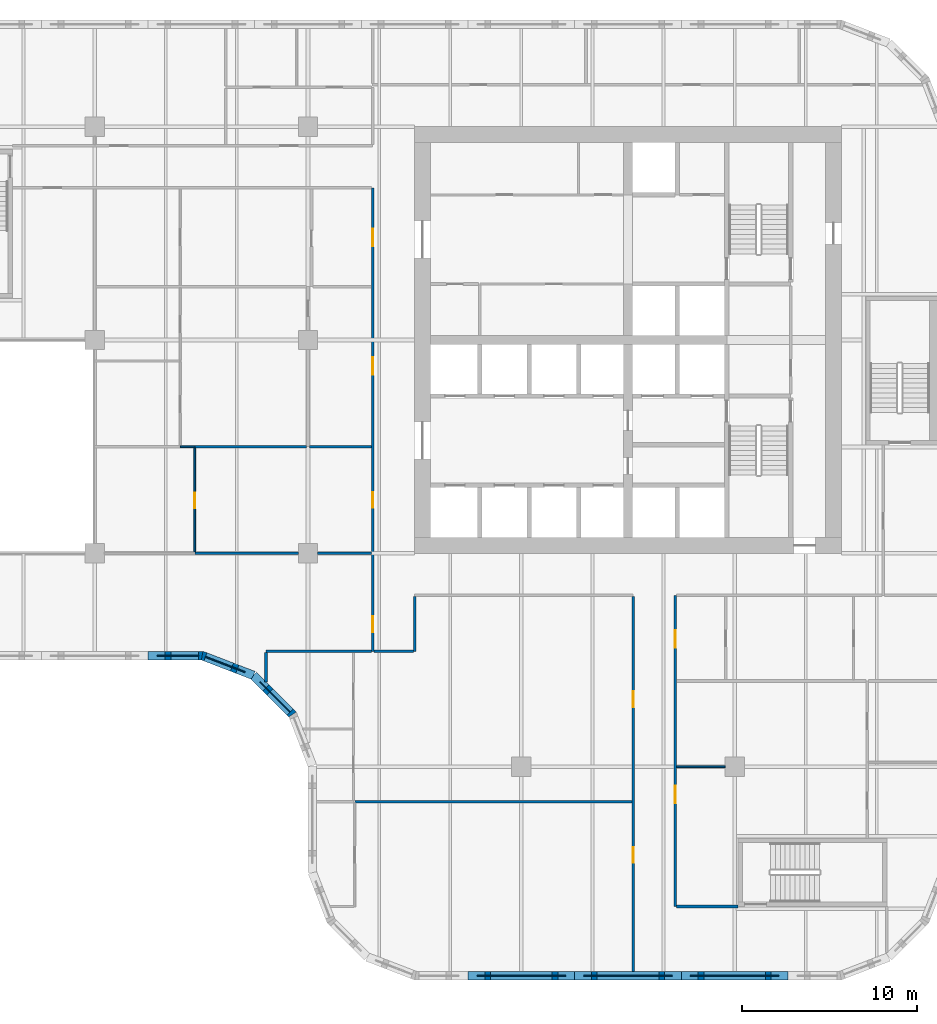
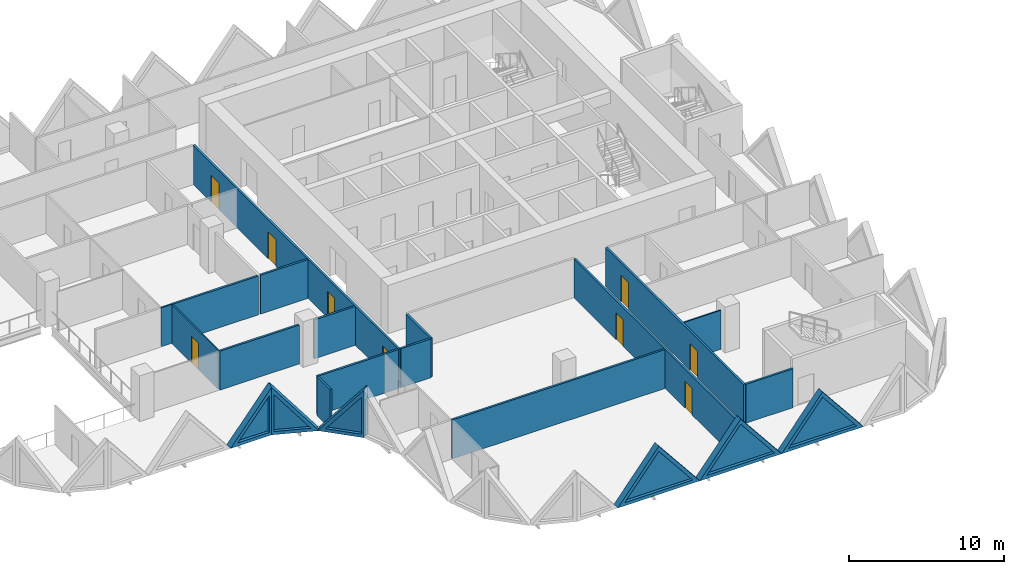
# One storey, part 5 of 19: 22 walls, 9 doors, 6 plates, 15 openings.
"""IFC4 building model written with IfcOpenShell, lengths in metres."""

from ifc_helpers import new_model, si_unit, direction, frame, frame_2d, origin, place, context, subcontext, project, spatial, polyline, rectangle, outline, extrude, faceted_brep, source, transform, mapped, material, layer, layer_set, type_object, element, fill, save


model = new_model("IFC4")

# Units and contexts
model_context = context("Model", 3, precision=1e-05, world=origin(), true_north=direction((0.0, 1.0)))
body_context = subcontext(model_context, "Body", "Model", "MODEL_VIEW")
ifc_project = project(units=[si_unit("LENGTHUNIT", "METRE"), si_unit("AREAUNIT", "SQUARE_METRE"), si_unit("VOLUMEUNIT", "CUBIC_METRE"), si_unit("PLANEANGLEUNIT", "RADIAN"), si_unit("MASSUNIT", "GRAM", prefix="KILO")], contexts=[model_context])

# Site, building, storey
site_placement = place(None, origin())
site = spatial("IfcSite", under=ifc_project, at=site_placement, CompositionType="ELEMENT")
building_placement = place(site_placement, origin())
building = spatial("IfcBuilding", under=site, at=building_placement, Name="Tessera Gate Towers", CompositionType="ELEMENT")
storey_placement = place(building_placement, frame((0.0, 0.0, 25.800048828125)))
storey = spatial("IfcBuildingStorey", under=building, at=storey_placement, Name="L05", CompositionType="ELEMENT", Elevation=25.800048828125)

# Wall, openings, doors
ifc_material_1 = material(Name="Gypsum board on steel studs, mineral wool", Category="steel")
ifc_layer_1 = layer(ifc_material_1, 0.14990234375)
ifc_layer_set_1 = layer_set([ifc_layer_1], Name="CORRIDOR WALL 150")
wall_type_1 = type_object("IfcWallType", Name="CORRIDOR WALL 150", PredefinedType="PARTITIONING", material=ifc_layer_set_1)
wall_1_placement = place(storey_placement, frame((43.0, 0.5, 0.0), z_axis=(0.0, 0.0, 1.0), x_axis=(0.0, 1.0, 0.0)))
wall_1 = element("IfcWall", 1, at=wall_1_placement, inside=storey, type_object=wall_type_1, Name="T1-L05-PW-001", PredefinedType="PARTITIONING", context=body_context, shape_type="SweptSolid", body=[
    extrude(rectangle(XDim=21.424072265625, YDim=0.14990234375, at=frame_2d((10.7119140625, 0.0))), origin(), (0.0, 0.0, 1.0), 3.06689453125),
])
shared_shape_1 = source(origin(), body_context, "Body", "SweptSolid", [
    extrude(rectangle(XDim=0.89990234375, YDim=2.10009765625, at=frame_2d((0.449951171875, 1.050048828125))), frame((0.0, 0.0849609375, 0.0), z_axis=(0.0, -1.0, 0.0), x_axis=(1.0, 0.0, 0.0)), (0.0, 0.0, 1.0), 0.169921875),
])
opening_1_placement = place(wall_1_placement, frame((6.199951171875, 0.0, 0.0)))
opening_1 = element("IfcOpeningElement", 2, at=opening_1_placement, cuts=wall_1, Name="Opening D890FD60-A02-02", PredefinedType="OPENING", context=body_context, shape_type="MappedRepresentation", body=[
    mapped(shared_shape_1, transform((0.0, 0.0, 0.0), scale=1.0)),
])
opening_2_placement = place(wall_1_placement, frame((15.10009765625, 0.0, 0.0)))
opening_2 = element("IfcOpeningElement", 3, at=opening_2_placement, cuts=wall_1, Name="Opening D890FD60-A02-06", PredefinedType="OPENING", context=body_context, shape_type="MappedRepresentation", body=[
    mapped(shared_shape_1, transform((0.0, 0.0, 0.0), scale=1.0)),
])
ifc_material_2 = material(Name="Timber door leaf in steel frame", Category="steel")
door_type_1 = type_object("IfcDoorType", Name="CORRIDOR DOOR 900 FD60", OperationType="NOTDEFINED", PredefinedType="DOOR", material=ifc_material_2)
shared_shape_2 = source(origin(), body_context, "Body", "SweptSolid", [
    extrude(rectangle(XDim=0.89990234375, YDim=2.10009765625, at=frame_2d((0.449951171875, 1.050048828125))), frame((0.0, 0.02490234375, 0.0), z_axis=(0.0, -1.0, 0.0), x_axis=(1.0, 0.0, 0.0)), (0.0, 0.0, 1.0), 0.050048828125),
])
door_1_placement = place(opening_1_placement, origin())
door_1 = element("IfcDoor", 4, at=door_1_placement, inside=storey, type_object=door_type_1, Name="T1-L05-PD-019", OperationType="SINGLE_SWING_LEFT", OverallHeight=2.10009765625, OverallWidth=0.89990234375, PredefinedType="DOOR", context=body_context, shape_type="MappedRepresentation", body=[
    mapped(shared_shape_2, transform((0.0, 0.0, 0.0), scale=1.0)),
])
fill(opening_1, door_1)
door_2_placement = place(opening_2_placement, origin())
door_2 = element("IfcDoor", 5, at=door_2_placement, inside=storey, type_object=door_type_1, Name="T1-L05-PD-027", OperationType="SINGLE_SWING_LEFT", OverallHeight=2.10009765625, OverallWidth=0.89990234375, PredefinedType="DOOR", context=body_context, shape_type="MappedRepresentation", body=[
    mapped(shared_shape_2, transform((0.0, 0.0, 0.0), scale=1.0)),
])
fill(opening_2, door_2)

wall_2_placement = place(storey_placement, frame((45.39990234375, 22.0, 0.0), z_axis=(0.0, 0.0, 1.0), x_axis=(0.0, -1.0, 0.0)))
wall_2 = element("IfcWall", 6, at=wall_2_placement, inside=storey, type_object=wall_type_1, Name="T1-L05-PW-005", PredefinedType="PARTITIONING", context=body_context, shape_type="SweptSolid", body=[
    extrude(rectangle(XDim=17.800048828125, YDim=0.14990234375, at=frame_2d((8.89990234375, 0.0))), origin(), (0.0, 0.0, 1.0), 3.06689453125),
])
shared_shape_3 = source(origin(), body_context, "Body", "SweptSolid", [
    extrude(rectangle(XDim=1.0, YDim=2.10009765625, at=frame_2d((0.5, 1.050048828125))), frame((0.0, 0.0849609375, 0.0), z_axis=(0.0, -1.0, 0.0), x_axis=(1.0, 0.0, 0.0)), (0.0, 0.0, 1.0), 0.169921875),
])
opening_3_placement = place(wall_2_placement, frame((1.9990234375, 0.0, 0.0)))
opening_3 = element("IfcOpeningElement", 7, at=opening_3_placement, cuts=wall_2, Name="Opening D2100FD60-A02-02", PredefinedType="OPENING", context=body_context, shape_type="MappedRepresentation", body=[
    mapped(shared_shape_3, transform((0.0, 0.0, 0.0), scale=1.0)),
])
opening_4_placement = place(wall_2_placement, frame((10.89990234375, 0.0, 0.0)))
opening_4 = element("IfcOpeningElement", 8, at=opening_4_placement, cuts=wall_2, Name="Opening D2100FD60-A02-07", PredefinedType="OPENING", context=body_context, shape_type="MappedRepresentation", body=[
    mapped(shared_shape_3, transform((0.0, 0.0, 0.0), scale=1.0)),
])
ifc_material_3 = material(Name="Timber door leaf in steel frame", Category="steel")
door_type_2 = type_object("IfcDoorType", Name="TENANCY ENTRANCE DOOR 1000 FD60", OperationType="NOTDEFINED", PredefinedType="DOOR", material=ifc_material_3)
shared_shape_4 = source(origin(), body_context, "Body", "SweptSolid", [
    extrude(rectangle(XDim=1.0, YDim=2.10009765625, at=frame_2d((0.5, 1.050048828125))), frame((0.0, 0.02490234375, 0.0), z_axis=(0.0, -1.0, 0.0), x_axis=(1.0, 0.0, 0.0)), (0.0, 0.0, 1.0), 0.050048828125),
])
door_3_placement = place(opening_3_placement, origin())
door_3 = element("IfcDoor", 9, at=door_3_placement, inside=storey, type_object=door_type_2, Name="T1-L05-PD-013", OperationType="SINGLE_SWING_RIGHT", OverallHeight=2.10009765625, OverallWidth=1.0, PredefinedType="DOOR", context=body_context, shape_type="MappedRepresentation", body=[
    mapped(shared_shape_4, transform((0.0, 0.0, 0.0), scale=1.0)),
])
fill(opening_3, door_3)
door_4_placement = place(opening_4_placement, origin())
door_4 = element("IfcDoor", 10, at=door_4_placement, inside=storey, type_object=door_type_2, Name="T1-L05-PD-031", OperationType="SINGLE_SWING_RIGHT", OverallHeight=2.10009765625, OverallWidth=1.0, PredefinedType="DOOR", context=body_context, shape_type="MappedRepresentation", body=[
    mapped(shared_shape_4, transform((0.0, 0.0, 0.0), scale=1.0)),
])
fill(opening_4, door_4)

# Wall
wall_3_placement = place(storey_placement, frame((45.47607421875, 4.199951171875, 0.0), z_axis=(0.0, 0.0, 1.0), x_axis=(1.0, 0.0, 0.0)))
element("IfcWall", 11, at=wall_3_placement, inside=storey, type_object=wall_type_1, Name="T1-L05-PW-006", PredefinedType="PARTITIONING", context=body_context, shape_type="SweptSolid", body=[
    extrude(rectangle(XDim=3.52392578125, YDim=0.14990234375, at=frame_2d((1.761962890625, 0.0))), origin(), (0.0, 0.0, 1.0), 3.06689453125),
])

# Wall, openings, doors
wall_4_placement = place(storey_placement, frame((28.10009765625, 18.800048828125, 0.0), z_axis=(0.0, 0.0, 1.0), x_axis=(0.0, 1.0, 0.0)))
wall_4 = element("IfcWall", 12, at=wall_4_placement, inside=storey, type_object=wall_type_1, Name="T1-L05-PW-020", PredefinedType="PARTITIONING", context=body_context, shape_type="SweptSolid", body=[
    extrude(rectangle(XDim=26.5, YDim=0.14990234375, at=frame_2d((13.25, 0.0))), origin(), (0.0, 0.0, 1.0), 3.06689453125),
])
opening_5_placement = place(wall_4_placement, frame((1.10009765625, 0.0, 0.0)))
opening_5 = element("IfcOpeningElement", 13, at=opening_5_placement, cuts=wall_4, Name="Opening D890FD60-A02-01", PredefinedType="OPENING", context=body_context, shape_type="MappedRepresentation", body=[
    mapped(shared_shape_1, transform((0.0, 0.0, 0.0), scale=1.0)),
])
opening_6_placement = place(wall_4_placement, frame((23.15087890625, 0.0, 0.0)))
opening_6 = element("IfcOpeningElement", 14, at=opening_6_placement, cuts=wall_4, Name="Opening D2100FD60-A02-03", PredefinedType="OPENING", context=body_context, shape_type="MappedRepresentation", body=[
    mapped(shared_shape_3, transform((0.0, 0.0, 0.0), scale=1.0)),
])
opening_7_placement = place(wall_4_placement, frame((8.199951171875, 0.0, 0.0)))
opening_7 = element("IfcOpeningElement", 15, at=opening_7_placement, cuts=wall_4, Name="Opening D890FD60-A02-03", PredefinedType="OPENING", context=body_context, shape_type="MappedRepresentation", body=[
    mapped(shared_shape_1, transform((0.0, 0.0, 0.0), scale=1.0)),
])
opening_8_placement = place(wall_4_placement, frame((15.800048828125, 0.0, 0.0)))
opening_8 = element("IfcOpeningElement", 16, at=opening_8_placement, cuts=wall_4, Name="Opening D2100FD60-A02-05", PredefinedType="OPENING", context=body_context, shape_type="MappedRepresentation", body=[
    mapped(shared_shape_3, transform((0.0, 0.0, 0.0), scale=1.0)),
])
door_5_placement = place(opening_5_placement, origin())
door_5 = element("IfcDoor", 17, at=door_5_placement, inside=storey, type_object=door_type_1, Name="T1-L05-PD-001", OperationType="SINGLE_SWING_LEFT", OverallHeight=2.10009765625, OverallWidth=0.89990234375, PredefinedType="DOOR", context=body_context, shape_type="MappedRepresentation", body=[
    mapped(shared_shape_2, transform((0.0, 0.0, 0.0), scale=1.0)),
])
fill(opening_5, door_5)
door_6_placement = place(opening_7_placement, origin())
door_6 = element("IfcDoor", 18, at=door_6_placement, inside=storey, type_object=door_type_1, Name="T1-L05-PD-020", OperationType="SINGLE_SWING_LEFT", OverallHeight=2.10009765625, OverallWidth=0.89990234375, PredefinedType="DOOR", context=body_context, shape_type="MappedRepresentation", body=[
    mapped(shared_shape_2, transform((0.0, 0.0, 0.0), scale=1.0)),
])
fill(opening_7, door_6)
door_7_placement = place(opening_6_placement, origin())
door_7 = element("IfcDoor", 19, at=door_7_placement, inside=storey, type_object=door_type_2, Name="T1-L05-PD-017", OperationType="SINGLE_SWING_LEFT", OverallHeight=2.10009765625, OverallWidth=1.0, PredefinedType="DOOR", context=body_context, shape_type="MappedRepresentation", body=[
    mapped(shared_shape_4, transform((0.0, 0.0, 0.0), scale=1.0)),
])
fill(opening_6, door_7)
door_8_placement = place(opening_8_placement, origin())
door_8 = element("IfcDoor", 20, at=door_8_placement, inside=storey, type_object=door_type_2, Name="T1-L05-PD-026", OperationType="SINGLE_SWING_LEFT", OverallHeight=2.10009765625, OverallWidth=1.0, PredefinedType="DOOR", context=body_context, shape_type="MappedRepresentation", body=[
    mapped(shared_shape_4, transform((0.0, 0.0, 0.0), scale=1.0)),
])
fill(opening_8, door_8)

# Walls
wall_5_placement = place(storey_placement, frame((28.176025390625, 18.800048828125, 0.0), z_axis=(0.0, 0.0, 1.0), x_axis=(1.0, 0.0, 0.0)))
element("IfcWall", 21, at=wall_5_placement, inside=storey, type_object=wall_type_1, Name="T1-L05-PW-021", PredefinedType="PARTITIONING", context=body_context, shape_type="SweptSolid", body=[
    extrude(rectangle(XDim=2.248046875, YDim=0.14990234375, at=frame_2d((1.1240234375, 0.0))), origin(), (0.0, 0.0, 1.0), 3.06689453125),
])
wall_6_placement = place(storey_placement, frame((30.5, 18.800048828125, 0.0), z_axis=(0.0, 0.0, 1.0), x_axis=(0.0, 1.0, 0.0)))
element("IfcWall", 22, at=wall_6_placement, inside=storey, type_object=wall_type_1, Name="T1-L05-PW-022", PredefinedType="PARTITIONING", context=body_context, shape_type="SweptSolid", body=[
    extrude(rectangle(XDim=3.1240234375, YDim=0.14990234375, at=frame_2d((1.56201171875, 0.0))), origin(), (0.0, 0.0, 1.0), 3.06689453125),
])

# Wall, opening, door
ifc_material_4 = material(Name="Glass", Category="glass")
ifc_layer_2 = layer(ifc_material_4, 0.10009765625)
ifc_layer_set_2 = layer_set([ifc_layer_2], Name="GLAZED PARTITION 100")
wall_type_2 = type_object("IfcWallType", Name="GLAZED PARTITION 100", PredefinedType="PARTITIONING", material=ifc_layer_set_2)
wall_7_placement = place(storey_placement, frame((17.925048828125, 24.47607421875, 0.0), z_axis=(0.0, 0.0, 1.0), x_axis=(0.0, 1.0, 0.0)))
wall_7 = element("IfcWall", 23, at=wall_7_placement, inside=storey, type_object=wall_type_2, Name="T1-L05-PW-031", PredefinedType="PARTITIONING", context=body_context, shape_type="SweptSolid", body=[
    extrude(rectangle(XDim=5.947998046875, YDim=0.10009765625, at=frame_2d((2.97412109375, 0.0))), origin(), (0.0, 0.0, 1.0), 3.06689453125),
])
shared_shape_5 = source(origin(), body_context, "Body", "SweptSolid", [
    extrude(rectangle(XDim=0.89990234375, YDim=2.10009765625, at=frame_2d((0.449951171875, 1.050048828125))), frame((0.0, 0.06005859375, 0.0), z_axis=(0.0, -1.0, 0.0), x_axis=(1.0, 0.0, 0.0)), (0.0, 0.0, 1.0), 0.1201171875),
])
opening_9_placement = place(wall_7_placement, frame((2.5, 0.0, 0.0)))
opening_9 = element("IfcOpeningElement", 24, at=opening_9_placement, cuts=wall_7, Name="Opening D690-A02-02", PredefinedType="OPENING", context=body_context, shape_type="MappedRepresentation", body=[
    mapped(shared_shape_5, transform((0.0, 0.0, 0.0), scale=1.0)),
])
ifc_material_5 = material(Name="Glass in aluminium frame", Category="aluminium")
door_type_3 = type_object("IfcDoorType", Name="GLAZED DOOR 900 NOT RATED", OperationType="NOTDEFINED", PredefinedType="DOOR", material=ifc_material_5)
door_9_placement = place(opening_9_placement, origin())
door_9 = element("IfcDoor", 25, at=door_9_placement, inside=storey, type_object=door_type_3, Name="T1-L05-PD-018", OperationType="SINGLE_SWING_LEFT", OverallHeight=2.10009765625, OverallWidth=0.89990234375, PredefinedType="DOOR", context=body_context, shape_type="MappedRepresentation", body=[
    mapped(shared_shape_2, transform((0.0, 0.0, 0.0), scale=1.0)),
])
fill(opening_9, door_9)

# Walls
wall_8_placement = place(storey_placement, frame((17.10107421875, 30.5, 0.0), z_axis=(0.0, 0.0, 1.0), x_axis=(1.0, 0.0, 0.0)))
element("IfcWall", 26, at=wall_8_placement, inside=storey, type_object=wall_type_2, Name="T1-L05-PW-033", PredefinedType="PARTITIONING", context=body_context, shape_type="SweptSolid", body=[
    extrude(rectangle(XDim=0.822998046875, YDim=0.10009765625, at=frame_2d((0.41162109375, 0.0))), origin(), (0.0, 0.0, 1.0), 3.06689453125),
])
ifc_material_6 = material(Name="Gypsum board on steel studs", Category="steel")
ifc_layer_3 = layer(ifc_material_6, 0.10009765625)
ifc_layer_set_3 = layer_set([ifc_layer_3], Name="PARTITION 100")
wall_type_3 = type_object("IfcWallType", Name="PARTITION 100", PredefinedType="PARTITIONING", material=ifc_layer_set_3)
wall_9_placement = place(storey_placement, frame((48.25, 12.199951171875, 0.0), z_axis=(0.0, 0.0, 1.0), x_axis=(-1.0, 0.0, 0.0)))
element("IfcWall", 27, at=wall_9_placement, inside=storey, type_object=wall_type_3, Name="T1-L05-PW-011", PredefinedType="PARTITIONING", context=body_context, shape_type="SweptSolid", body=[
    extrude(rectangle(XDim=2.77490234375, YDim=0.10009765625, at=frame_2d((1.387451171875, 0.0))), origin(), (0.0, 0.0, 1.0), 3.06689453125),
])
ifc_material_7 = material(Name="Gypsum board on steel studs, mineral wool", Category="steel")
ifc_layer_4 = layer(ifc_material_7, 0.14990234375)
ifc_layer_set_4 = layer_set([ifc_layer_4], Name="TENANCY WALL 150")
wall_type_4 = type_object("IfcWallType", Name="TENANCY WALL 150", PredefinedType="PARTITIONING", material=ifc_layer_set_4)
wall_10_placement = place(storey_placement, frame((27.074951171875, 10.199951171875, 0.0), z_axis=(0.0, 0.0, 1.0), x_axis=(1.0, 0.0, 0.0)))
element("IfcWall", 28, at=wall_10_placement, inside=storey, type_object=wall_type_4, Name="T1-L05-PW-009", PredefinedType="PARTITIONING", context=body_context, shape_type="SweptSolid", body=[
    extrude(rectangle(XDim=15.84912109375, YDim=0.14990234375, at=frame_2d((7.924560546875, 0.0))), origin(), (0.0, 0.0, 1.0), 3.06689453125),
])
wall_11_placement = place(storey_placement, frame((22.0, 17.054931640625, 0.0), z_axis=(0.0, 0.0, 1.0), x_axis=(0.0, 1.0, 0.0)))
element("IfcWall", 29, at=wall_11_placement, inside=storey, type_object=wall_type_4, Name="T1-L05-PW-014", PredefinedType="PARTITIONING", context=body_context, shape_type="SweptSolid", body=[
    extrude(rectangle(XDim=1.669189453125, YDim=0.14990234375, at=frame_2d((0.83447265625, 0.0))), origin(), (0.0, 0.0, 1.0), 3.06689453125),
])
wall_12_placement = place(storey_placement, frame((22.0, 18.800048828125, 0.0), z_axis=(0.0, 0.0, 1.0), x_axis=(1.0, 0.0, 0.0)))
element("IfcWall", 30, at=wall_12_placement, inside=storey, type_object=wall_type_4, Name="T1-L05-PW-019", PredefinedType="PARTITIONING", context=body_context, shape_type="SweptSolid", body=[
    extrude(rectangle(XDim=6.02392578125, YDim=0.14990234375, at=frame_2d((3.011962890625, 0.0))), origin(), (0.0, 0.0, 1.0), 3.06689453125),
])
wall_13_placement = place(storey_placement, frame((17.925048828125, 24.39990234375, 0.0), z_axis=(0.0, 0.0, 1.0), x_axis=(1.0, 0.0, 0.0)))
element("IfcWall", 31, at=wall_13_placement, inside=storey, type_object=wall_type_4, Name="T1-L05-PW-029", PredefinedType="PARTITIONING", context=body_context, shape_type="SweptSolid", body=[
    extrude(rectangle(XDim=5.924072265625, YDim=0.14990234375, at=frame_2d((2.9619140625, 0.0))), origin(), (0.0, 0.0, 1.0), 3.06689453125),
])
wall_14_placement = place(storey_placement, frame((24.950927734375, 24.39990234375, 0.0), z_axis=(0.0, 0.0, 1.0), x_axis=(1.0, 0.0, 0.0)))
element("IfcWall", 32, at=wall_14_placement, inside=storey, type_object=wall_type_4, Name="T1-L05-PW-030", PredefinedType="PARTITIONING", context=body_context, shape_type="SweptSolid", body=[
    extrude(rectangle(XDim=3.072998046875, YDim=0.14990234375, at=frame_2d((1.53662109375, 0.0))), origin(), (0.0, 0.0, 1.0), 3.06689453125),
])
wall_15_placement = place(storey_placement, frame((17.925048828125, 30.5, 0.0), z_axis=(0.0, 0.0, 1.0), x_axis=(1.0, 0.0, 0.0)))
element("IfcWall", 33, at=wall_15_placement, inside=storey, type_object=wall_type_4, Name="T1-L05-PW-034", PredefinedType="PARTITIONING", context=body_context, shape_type="SweptSolid", body=[
    extrude(rectangle(XDim=6.39892578125, YDim=0.14990234375, at=frame_2d((3.199462890625, 0.0))), origin(), (0.0, 0.0, 1.0), 3.06689453125),
])
wall_16_placement = place(storey_placement, frame((24.47607421875, 30.5, 0.0), z_axis=(0.0, 0.0, 1.0), x_axis=(1.0, 0.0, 0.0)))
element("IfcWall", 34, at=wall_16_placement, inside=storey, type_object=wall_type_4, Name="T1-L05-PW-036", PredefinedType="PARTITIONING", context=body_context, shape_type="SweptSolid", body=[
    extrude(rectangle(XDim=3.5478515625, YDim=0.14990234375, at=frame_2d((1.77392578125, 0.0))), origin(), (0.0, 0.0, 1.0), 3.06689453125),
])

# Wall, opening, plate
ifc_material_8 = material(Name="Precast concrete C60/75 white", Category="concrete")
ifc_layer_5 = layer(ifc_material_8, 0.5)
ifc_layer_set_5 = layer_set([ifc_layer_5], Name="TS2 half tessera")
wall_type_5 = type_object("IfcWallType", Name="TS2 half tessera", PredefinedType="SOLIDWALL", material=ifc_layer_set_5)
shared_shape_6 = source(origin(), body_context, "Body", "Brep", [
    faceted_brep([(6.099853515625, -0.25, 0.000244140625), (3.050048828125, -0.25, 3.800048828125), (0.0, -0.25, 0.0), (6.099853515625, -0.25, 0.0), (0.0, 0.25, 0.0), (3.050048828125, 0.25, 3.800048828125), (6.099853515625, 0.25, 0.000244140625), (6.099853515625, 0.25, 0.0)], [[[0, 1, 2, 3]], [[4, 5, 6, 7]], [[6, 5, 1, 0]], [[5, 4, 2, 1]], [[4, 7, 3, 2]], [[3, 7, 6, 0]]]),
])
wall_17_placement = place(storey_placement, frame((33.550048828125, 0.25, 0.0), z_axis=(0.0, 0.0, 1.0), x_axis=(1.0, 0.0, 0.0)))
wall_17 = element("IfcWall", 35, at=wall_17_placement, inside=storey, type_object=wall_type_5, Name="Precast half tessera T1 TS2-0046", PredefinedType="SOLIDWALL", context=body_context, shape_type="MappedRepresentation", body=[
    mapped(shared_shape_6, transform((0.0, 0.0, 0.0), scale=1.0)),
])
shared_shape_7 = source(origin(), body_context, "Body", "SweptSolid", [
    extrude(outline(polyline([(5.578857421875, 0.25), (3.050048828125, 3.400634765625), (0.521240234375, 0.25), (5.578857421875, 0.25)])), frame((0.0, 0.260009765625, 0.0), z_axis=(0.0, -1.0, 0.0), x_axis=(1.0, 0.0, 0.0)), (0.0, 0.0, 1.0), 0.52001953125),
])
opening_10_placement = place(wall_17_placement, origin())
opening_10 = element("IfcOpeningElement", 36, at=opening_10_placement, cuts=wall_17, Name="Opening T1-PL1-0096", PredefinedType="OPENING", context=body_context, shape_type="MappedRepresentation", body=[
    mapped(shared_shape_7, transform((0.0, 0.0, 0.0), scale=1.0)),
])
ifc_material_9 = material(Name="Low-e laminated glass", Category="glass")
ifc_layer_6 = layer(ifc_material_9, 0.06005859375)
ifc_layer_set_6 = layer_set([ifc_layer_6], Name="PL1 triangular pane")
plate_type = type_object("IfcPlateType", Name="PL1 triangular pane", PredefinedType="SHEET", material=ifc_layer_set_6)
shared_shape_8 = source(origin(), body_context, "Body", "SweptSolid", [
    extrude(outline(polyline([(5.578857421875, 0.25), (3.050048828125, 3.400634765625), (0.521240234375, 0.25), (5.578857421875, 0.25)])), frame((0.0, 0.030029296875, 0.0), z_axis=(0.0, -1.0, 0.0), x_axis=(1.0, 0.0, 0.0)), (0.0, 0.0, 1.0), 0.06005859375),
])
plate_1_placement = place(opening_10_placement, origin())
plate_1 = element("IfcPlate", 37, at=plate_1_placement, inside=storey, type_object=plate_type, Name="Glass pane T1 PL1-0096", PredefinedType="SHEET", context=body_context, shape_type="MappedRepresentation", body=[
    mapped(shared_shape_8, transform((0.0, 0.0, 0.0), scale=1.0)),
])
fill(opening_10, plate_1)

shared_shape_9 = source(origin(), body_context, "Body", "SweptSolid", [
    extrude(outline(polyline([(6.10009765625, 0.0), (3.050048828125, 3.800048828125), (0.0, 0.0), (6.10009765625, 0.0)])), frame((0.0, 0.25, 0.0), z_axis=(0.0, -1.0, 0.0), x_axis=(1.0, 0.0, 0.0)), (0.0, 0.0, 1.0), 0.5),
])
wall_18_placement = place(storey_placement, frame((39.64990234375, 0.25, 0.0), z_axis=(0.0, 0.0, 1.0), x_axis=(1.0, 0.0, 0.0)))
wall_18 = element("IfcWall", 38, at=wall_18_placement, inside=storey, type_object=wall_type_5, Name="Precast half tessera T1 TS2-0047", PredefinedType="SOLIDWALL", context=body_context, shape_type="MappedRepresentation", body=[
    mapped(shared_shape_9, transform((0.0, 0.0, 0.0), scale=1.0)),
])
opening_11_placement = place(wall_18_placement, origin())
opening_11 = element("IfcOpeningElement", 39, at=opening_11_placement, cuts=wall_18, Name="Opening T1-PL1-0097", PredefinedType="OPENING", context=body_context, shape_type="MappedRepresentation", body=[
    mapped(shared_shape_7, transform((0.0, 0.0, 0.0), scale=1.0)),
])
plate_2_placement = place(opening_11_placement, origin())
plate_2 = element("IfcPlate", 40, at=plate_2_placement, inside=storey, type_object=plate_type, Name="Glass pane T1 PL1-0097", PredefinedType="SHEET", context=body_context, shape_type="MappedRepresentation", body=[
    mapped(shared_shape_8, transform((0.0, 0.0, 0.0), scale=1.0)),
])
fill(opening_11, plate_2)

wall_19_placement = place(storey_placement, frame((45.75, 0.25, 0.0), z_axis=(0.0, 0.0, 1.0), x_axis=(1.0, 0.0, 0.0)))
wall_19 = element("IfcWall", 41, at=wall_19_placement, inside=storey, type_object=wall_type_5, Name="Precast half tessera T1 TS2-0048", PredefinedType="SOLIDWALL", context=body_context, shape_type="MappedRepresentation", body=[
    mapped(shared_shape_9, transform((0.0, 0.0, 0.0), scale=1.0)),
])
opening_12_placement = place(wall_19_placement, origin())
opening_12 = element("IfcOpeningElement", 42, at=opening_12_placement, cuts=wall_19, Name="Opening T1-PL1-0098", PredefinedType="OPENING", context=body_context, shape_type="MappedRepresentation", body=[
    mapped(shared_shape_7, transform((0.0, 0.0, 0.0), scale=1.0)),
])
plate_3_placement = place(opening_12_placement, origin())
plate_3 = element("IfcPlate", 43, at=plate_3_placement, inside=storey, type_object=plate_type, Name="Glass pane T1 PL1-0098", PredefinedType="SHEET", context=body_context, shape_type="MappedRepresentation", body=[
    mapped(shared_shape_8, transform((0.0, 0.0, 0.0), scale=1.0)),
])
fill(opening_12, plate_3)

ifc_material_10 = material(Name="Precast concrete C60/75 white", Category="concrete")
ifc_layer_7 = layer(ifc_material_10, 0.5)
ifc_layer_set_7 = layer_set([ifc_layer_7], Name="TS3 corner tessera")
wall_type_6 = type_object("IfcWallType", Name="TS3 corner tessera", PredefinedType="SOLIDWALL", material=ifc_layer_set_7)
shared_shape_10 = source(origin(), body_context, "Body", "Brep", [
    faceted_brep([(3.050048828125, -0.25, 3.7431640625), (0.0, -0.25, 0.0), (3.050048828125, -0.25, 0.0), (0.0, 0.25, 0.0), (3.096435546875, 0.25, 3.800048828125), (3.14306640625, 0.25, 3.74365234375), (3.14306640625, 0.25, 0.0), (3.096435546875, -0.00048828125, 3.800048828125)], [[[0, 1, 2]], [[3, 4, 5, 6]], [[5, 4, 7]], [[4, 3, 1, 0, 7]], [[3, 6, 2, 1]], [[2, 6, 5, 7, 0]]]),
])
wall_20_placement = place(storey_placement, frame((15.25, 18.550048828125, 0.0), z_axis=(0.0, 0.0, 1.0), x_axis=(1.0, 0.0, 0.0)))
wall_20 = element("IfcWall", 44, at=wall_20_placement, inside=storey, type_object=wall_type_6, Name="Precast corner tessera T1 TS3-0091", PredefinedType="SOLIDWALL", context=body_context, shape_type="MappedRepresentation", body=[
    mapped(shared_shape_10, transform((0.0, 0.0, 0.0), scale=1.0)),
])
shared_shape_11 = source(origin(), body_context, "Body", "SweptSolid", [
    extrude(outline(polyline([(2.896484375, 3.15869140625), (0.526123046875, 0.25), (2.896484375, 0.25), (2.896484375, 3.15869140625)])), frame((0.0, 0.260009765625, 0.0), z_axis=(0.0, -1.0, 0.0), x_axis=(1.0, 0.0, 0.0)), (0.0, 0.0, 1.0), 0.52001953125),
])
opening_13_placement = place(wall_20_placement, origin())
opening_13 = element("IfcOpeningElement", 45, at=opening_13_placement, cuts=wall_20, Name="Opening T1-PL1-0134", PredefinedType="OPENING", context=body_context, shape_type="MappedRepresentation", body=[
    mapped(shared_shape_11, transform((0.0, 0.0, 0.0), scale=1.0)),
])
shared_shape_12 = source(origin(), body_context, "Body", "SweptSolid", [
    extrude(outline(polyline([(2.896484375, 3.15869140625), (0.526123046875, 0.25), (2.896484375, 0.25), (2.896484375, 3.15869140625)])), frame((0.0, 0.030029296875, 0.0), z_axis=(0.0, -1.0, 0.0), x_axis=(1.0, 0.0, 0.0)), (0.0, 0.0, 1.0), 0.06005859375),
])
plate_4_placement = place(opening_13_placement, origin())
plate_4 = element("IfcPlate", 46, at=plate_4_placement, inside=storey, type_object=plate_type, Name="Glass pane T1 PL1-0134", PredefinedType="SHEET", context=body_context, shape_type="MappedRepresentation", body=[
    mapped(shared_shape_12, transform((0.0, 0.0, 0.0), scale=1.0)),
])
fill(opening_13, plate_4)

shared_shape_13 = source(origin(), body_context, "Body", "Brep", [
    faceted_brep([(3.14306640625, -0.25, 0.063720703125), (0.09326171875, -0.25, 3.743896484375), (0.09326171875, -0.25, 0.0), (3.14306640625, -0.25, 0.0), (0.0, 0.25, 3.742919921875), (0.046630859375, 0.25, 3.800048828125), (3.196044921875, 0.25, 0.0), (0.0, 0.25, 0.0), (0.046630859375, 0.0, 3.800048828125), (3.196044921875, -0.000244140625, 0.0)], [[[0, 1, 2, 3]], [[4, 5, 6, 7]], [[6, 5, 8, 1, 0, 9]], [[5, 4, 8]], [[7, 6, 9, 3, 2]], [[7, 2, 1, 8, 4]], [[3, 9, 0]]]),
])
wall_21_placement = place(storey_placement, frame((18.302978515625, 18.56689453125, 0.0), z_axis=(0.0, 0.0, 1.0), x_axis=(0.932978940178, -0.359930961693, 0.0)))
wall_21 = element("IfcWall", 47, at=wall_21_placement, inside=storey, type_object=wall_type_6, Name="Precast corner tessera T1 TS3-0092", PredefinedType="SOLIDWALL", context=body_context, shape_type="MappedRepresentation", body=[
    mapped(shared_shape_13, transform((0.0, 0.0, 0.0), scale=1.0)),
])
shared_shape_14 = source(origin(), body_context, "Body", "SweptSolid", [
    extrude(outline(polyline([(2.664306640625, 0.25), (0.24658203125, 3.166748046875), (0.24658203125, 0.25), (2.664306640625, 0.25)])), frame((0.0, 0.260009765625, 0.0), z_axis=(0.0, -1.0, 0.0), x_axis=(1.0, 0.0, 0.0)), (0.0, 0.0, 1.0), 0.52001953125),
])
opening_14_placement = place(wall_21_placement, origin())
opening_14 = element("IfcOpeningElement", 48, at=opening_14_placement, cuts=wall_21, Name="Opening T1-PL1-0135", PredefinedType="OPENING", context=body_context, shape_type="MappedRepresentation", body=[
    mapped(shared_shape_14, transform((0.0, 0.0, 0.0), scale=1.0)),
])
shared_shape_15 = source(origin(), body_context, "Body", "SweptSolid", [
    extrude(outline(polyline([(2.664306640625, 0.25), (0.24658203125, 3.166748046875), (0.24658203125, 0.25), (2.664306640625, 0.25)])), frame((0.0, 0.030029296875, 0.0), z_axis=(0.0, -1.0, 0.0), x_axis=(1.0, 0.0, 0.0)), (0.0, 0.0, 1.0), 0.06005859375),
])
plate_5_placement = place(opening_14_placement, origin())
plate_5 = element("IfcPlate", 49, at=plate_5_placement, inside=storey, type_object=plate_type, Name="Glass pane T1 PL1-0135", PredefinedType="SHEET", context=body_context, shape_type="MappedRepresentation", body=[
    mapped(shared_shape_15, transform((0.0, 0.0, 0.0), scale=1.0)),
])
fill(opening_14, plate_5)

shared_shape_16 = source(origin(), body_context, "Body", "Brep", [
    faceted_brep([(3.10302734375, -0.25, 3.736328125), (0.052978515625, -0.25, 0.063720703125), (0.052978515625, -0.25, 0.0), (3.10302734375, -0.25, 0.0), (0.0, 0.25, 0.0), (3.15576171875, 0.25, 3.800048828125), (3.208740234375, 0.25, 3.736083984375), (3.208740234375, 0.25, 0.0), (3.15576171875, -0.00048828125, 3.800048828125), (0.0, 0.0, 0.0)], [[[0, 1, 2, 3]], [[4, 5, 6, 7]], [[6, 5, 8]], [[5, 4, 9, 1, 0, 8]], [[4, 7, 3, 2, 9]], [[9, 2, 1]], [[3, 7, 6, 8, 0]]]),
])
wall_22_placement = place(storey_placement, frame((21.284912109375, 17.41650390625, 0.0), z_axis=(0.0, 0.0, 1.0), x_axis=(0.707106781187, -0.707106781187, 0.0)))
wall_22 = element("IfcWall", 50, at=wall_22_placement, inside=storey, type_object=wall_type_6, Name="Precast corner tessera T1 TS3-0093", PredefinedType="SOLIDWALL", context=body_context, shape_type="MappedRepresentation", body=[
    mapped(shared_shape_16, transform((0.0, 0.0, 0.0), scale=1.0)),
])
shared_shape_17 = source(origin(), body_context, "Body", "SweptSolid", [
    extrude(outline(polyline([(2.955810546875, 3.167724609375), (0.53271484375, 0.25), (2.955810546875, 0.25), (2.955810546875, 3.167724609375)])), frame((0.0, 0.260009765625, 0.0), z_axis=(0.0, -1.0, 0.0), x_axis=(1.0, 0.0, 0.0)), (0.0, 0.0, 1.0), 0.52001953125),
])
opening_15_placement = place(wall_22_placement, origin())
opening_15 = element("IfcOpeningElement", 51, at=opening_15_placement, cuts=wall_22, Name="Opening T1-PL1-0136", PredefinedType="OPENING", context=body_context, shape_type="MappedRepresentation", body=[
    mapped(shared_shape_17, transform((0.0, 0.0, 0.0), scale=1.0)),
])
shared_shape_18 = source(origin(), body_context, "Body", "SweptSolid", [
    extrude(outline(polyline([(2.955810546875, 3.167724609375), (0.53271484375, 0.25), (2.955810546875, 0.25), (2.955810546875, 3.167724609375)])), frame((0.0, 0.030029296875, 0.0), z_axis=(0.0, -1.0, 0.0), x_axis=(1.0, 0.0, 0.0)), (0.0, 0.0, 1.0), 0.06005859375),
])
plate_6_placement = place(opening_15_placement, origin())
plate_6 = element("IfcPlate", 52, at=plate_6_placement, inside=storey, type_object=plate_type, Name="Glass pane T1 PL1-0136", PredefinedType="SHEET", context=body_context, shape_type="MappedRepresentation", body=[
    mapped(shared_shape_18, transform((0.0, 0.0, 0.0), scale=1.0)),
])
fill(opening_15, plate_6)

save(model, "model.ifc")
